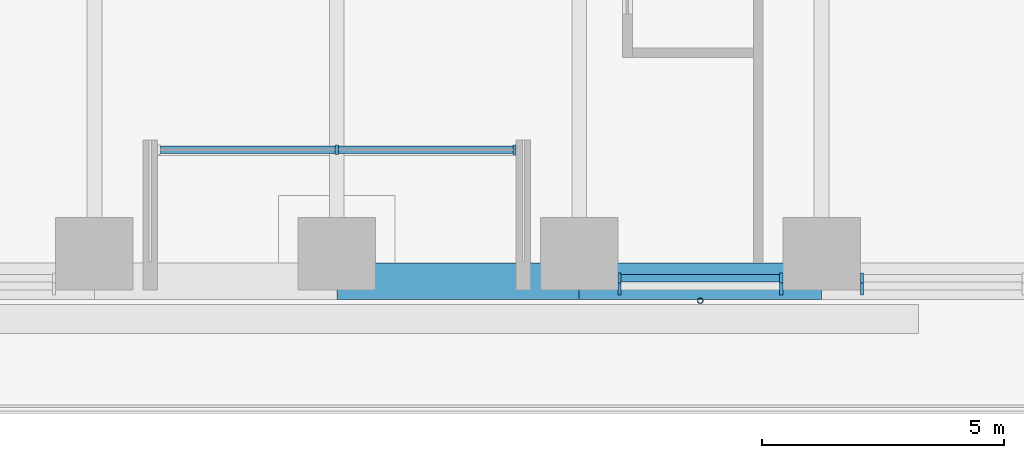
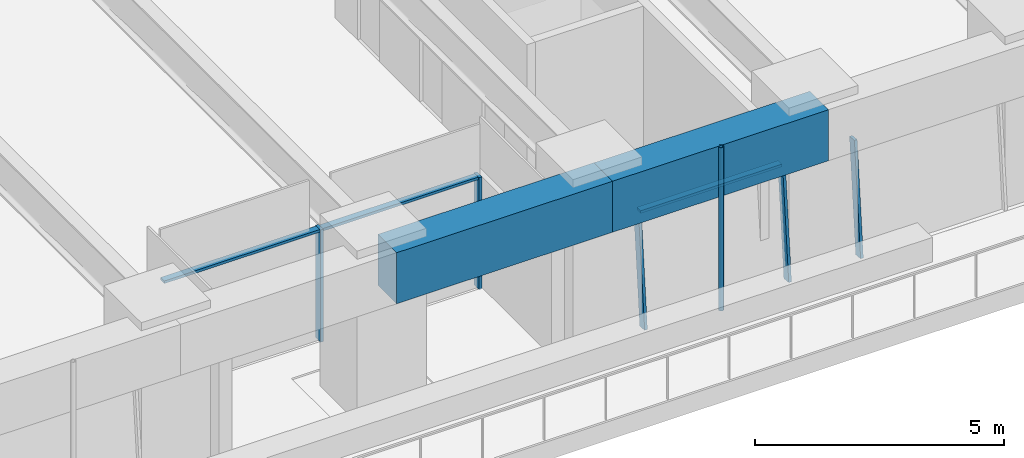
# One storey, part 4 of 24: 8 members, 2 beams, 3 elements without a shape of their own.
"""IFC4 building model written with IfcOpenShell, lengths in metres."""

from ifc_helpers import new_model, si_unit, direction, frame, origin, origin_2d, place, context, subcontext, project, spatial, rectangle, hollow_circle, extrude, material, material_profile, profile_set, type_object, element, aggregate, save


model = new_model("IFC4")

# Units and contexts
model_context = context("Model", 3, precision=1e-05, world=origin(), true_north=direction((0.0, 1.0)))
body_context = subcontext(model_context, "Body", "Model", "MODEL_VIEW")
ifc_project = project(units=[si_unit("LENGTHUNIT", "METRE"), si_unit("AREAUNIT", "SQUARE_METRE"), si_unit("VOLUMEUNIT", "CUBIC_METRE"), si_unit("PLANEANGLEUNIT", "RADIAN"), si_unit("MASSUNIT", "GRAM", prefix="KILO")], contexts=[model_context])

# Site, building, storey
site_placement = place(None, origin())
site = spatial("IfcSite", under=ifc_project, at=site_placement, CompositionType="ELEMENT")
building_placement = place(site_placement, origin())
building = spatial("IfcBuilding", under=site, at=building_placement, Name="Tarfa Lantern Tower", CompositionType="ELEMENT")
storey_placement = place(building_placement, frame((0.0, 0.0, 140.5)))
storey = spatial("IfcBuildingStorey", under=building, at=storey_placement, Name="L31", CompositionType="ELEMENT", Elevation=140.5)

# Curtain wall, members
ifc_material_1 = material(Name="Aluminium framed curtain wall", Category="aluminium")
curtain_wall_type_1 = type_object("IfcCurtainWallType", Name="CW2 CANTED GLAZING MID ZONE 2750", PredefinedType="USERDEFINED", material=ifc_material_1)
curtain_wall_1_placement = place(storey_placement, origin())
curtain_wall_1 = element("IfcCurtainWall", 1, at=curtain_wall_1_placement, inside=storey, type_object=curtain_wall_type_1, Name="CW2 SB L31", ObjectType="CURTAIN WALL", PredefinedType="USERDEFINED")
ifc_material_2 = material(Name="Aluminium mullion", Category="aluminium")
ifc_material_profile_1 = material_profile(ifc_material_2, rectangle(XDim=0.06494140625, YDim=0.199951171875, at=origin_2d()), Name="AL MULLION 65x200")
ifc_profile_set_1 = profile_set([ifc_material_profile_1], Name="Aluminium mullion")
member_type_1 = type_object("IfcMemberType", Name="CWM1 MULLION 65x200", PredefinedType="MULLION", material=ifc_profile_set_1)
member_1_placement = place(storey_placement, frame((5.836181640625, -31.39990234375, 0.0), z_axis=(0.0, 0.090535746043, 0.995893206468), x_axis=(-1.0, 0.0, 0.0)))
member_1 = element("IfcMember", 2, at=member_1_placement, type_object=member_type_1, Name="CW2 mullion 1", PredefinedType="MULLION", context=body_context, shape_type="SweptSolid", body=[
    extrude(rectangle(XDim=0.06494140625, YDim=0.199951171875, at=origin_2d()), origin(), (0.0, 0.0, 1.0), 2.76123046875),
])
member_2_placement = place(storey_placement, frame((9.1748046875, -31.39990234375, 0.0), z_axis=(0.0, 0.090535746043, 0.995893206468), x_axis=(-1.0, 0.0, 0.0)))
member_2 = element("IfcMember", 3, at=member_2_placement, type_object=member_type_1, Name="CW2 mullion 2", PredefinedType="MULLION", context=body_context, shape_type="SweptSolid", body=[
    extrude(rectangle(XDim=0.06494140625, YDim=0.199951171875, at=origin_2d()), origin(), (0.0, 0.0, 1.0), 2.76123046875),
])

# Curtain wall, member
curtain_wall_2_placement = place(storey_placement, origin())
curtain_wall_2 = element("IfcCurtainWall", 4, at=curtain_wall_2_placement, inside=storey, type_object=curtain_wall_type_1, Name="CW2 SB L31", ObjectType="CURTAIN WALL", PredefinedType="USERDEFINED")
member_3_placement = place(storey_placement, frame((10.83984375, -31.39990234375, 0.0), z_axis=(0.0, 0.090535746043, 0.995893206468), x_axis=(-1.0, 0.0, 0.0)))
member_3 = element("IfcMember", 5, at=member_3_placement, type_object=member_type_1, Name="CW2 mullion 1", PredefinedType="MULLION", context=body_context, shape_type="SweptSolid", body=[
    extrude(rectangle(XDim=0.06494140625, YDim=0.199951171875, at=origin_2d()), origin(), (0.0, 0.0, 1.0), 2.76123046875),
])
aggregate(curtain_wall_2, [member_3])

# Curtain wall, members
curtain_wall_type_2 = type_object("IfcCurtainWallType", Name="CW10 LOGGIA GLAZING 2750", PredefinedType="USERDEFINED", material=ifc_material_1)
curtain_wall_3_placement = place(storey_placement, origin())
curtain_wall_3 = element("IfcCurtainWall", 6, at=curtain_wall_3_placement, inside=storey, type_object=curtain_wall_type_2, Name="CW10 SL L31", ObjectType="CURTAIN WALL", PredefinedType="USERDEFINED")
member_4_placement = place(storey_placement, frame((0.0, -28.5, 0.0), z_axis=(0.0, 0.0, 1.0), x_axis=(1.0, 0.0, 0.0)))
member_4 = element("IfcMember", 7, at=member_4_placement, type_object=member_type_1, Name="CW10 mullion 2", PredefinedType="MULLION", context=body_context, shape_type="SweptSolid", body=[
    extrude(rectangle(XDim=0.06494140625, YDim=0.199951171875, at=origin_2d()), origin(), (0.0, 0.0, 1.0), 2.75),
])
member_5_placement = place(storey_placement, frame((3.671142578125, -28.5, 0.0), z_axis=(0.0, 0.0, 1.0), x_axis=(1.0, 0.0, 0.0)))
member_5 = element("IfcMember", 8, at=member_5_placement, type_object=member_type_1, Name="CW10 mullion 3", PredefinedType="MULLION", context=body_context, shape_type="SweptSolid", body=[
    extrude(rectangle(XDim=0.06494140625, YDim=0.199951171875, at=origin_2d()), origin(), (0.0, 0.0, 1.0), 2.75),
])

# Member
ifc_material_3 = material(Name="Aluminium transom", Category="aluminium")
ifc_material_profile_2 = material_profile(ifc_material_3, rectangle(XDim=0.14990234375, YDim=0.06494140625, at=origin_2d()), Name="AL TRANSOM 150x65")
ifc_profile_set_2 = profile_set([ifc_material_profile_2], Name="Aluminium transom")
member_type_2 = type_object("IfcMemberType", Name="CWT1 TRANSOM 150x65", PredefinedType="USERDEFINED", material=ifc_profile_set_2)
member_6_placement = place(storey_placement, frame((5.86865234375, -31.153076171875, 2.717529296875), z_axis=(1.0, 0.0, 0.0), x_axis=(0.0, 1.0, 0.0)))
member_6 = element("IfcMember", 9, at=member_6_placement, type_object=member_type_2, Name="CW2 transom 1.2", ObjectType="TRANSOM", PredefinedType="USERDEFINED", context=body_context, shape_type="SweptSolid", body=[
    extrude(rectangle(XDim=0.14990234375, YDim=0.06494140625, at=origin_2d()), origin(), (0.0, 0.0, 1.0), 3.273681640625),
])

aggregate(curtain_wall_1, [member_1, member_2, member_6])

member_7_placement = place(storey_placement, frame((-3.638671875, -28.5, 2.717529296875), z_axis=(1.0, 0.0, 0.0), x_axis=(0.0, 1.0, 0.0)))
member_7 = element("IfcMember", 10, at=member_7_placement, type_object=member_type_2, Name="CW10 transom 1.2", ObjectType="TRANSOM", PredefinedType="USERDEFINED", context=body_context, shape_type="SweptSolid", body=[
    extrude(rectangle(XDim=0.14990234375, YDim=0.06494140625, at=origin_2d()), origin(), (0.0, 0.0, 1.0), 7.27734375),
])

aggregate(curtain_wall_3, [member_4, member_5, member_7])

# Beams
ifc_material_4 = material(Name="Concrete C80/95", Category="concrete")
ifc_material_profile_3 = material_profile(ifc_material_4, rectangle(XDim=0.75, YDim=1.25, at=origin_2d()), Name="RC 750x1250")
ifc_profile_set_3 = profile_set([ifc_material_profile_3], Name="Concrete C80/95")
beam_type = type_object("IfcBeamType", Name="EB2 RC 750x1250", PredefinedType="SPANDREL", material=ifc_profile_set_3)
for number, where, z_axis, x_axis, name in (
    (11, (0.0, -31.219970703125, 3.375), (1.0, 0.0, 0.0), (0.0, 1.0, 0.0), "Edge beam S3"),
    (12, (5.003662109375, -31.219970703125, 3.375), (1.0, 0.0, 0.0), (0.0, 1.0, 0.0), "Edge beam S4"),
):
    element("IfcBeam", number, at=place(storey_placement, frame(where, z_axis=z_axis, x_axis=x_axis)), inside=storey, type_object=beam_type, Name=name, PredefinedType="SPANDREL", context=body_context, shape_type="SweptSolid", body=[
        extrude(rectangle(XDim=0.75, YDim=1.25, at=origin_2d()), origin(), (0.0, 0.0, 1.0), 5.003662109375),
    ])

# Member
ifc_material_5 = material(Name="Steel S355", Category="steel")
ifc_material_profile_4 = material_profile(ifc_material_5, hollow_circle(Radius=0.05712890625, WallThickness=0.00634765625, at=origin_2d()), Name="CHS114.3x6.3")
ifc_profile_set_4 = profile_set([ifc_material_profile_4], Name="Steel S355")
member_type_3 = type_object("IfcMemberType", Name="TR1 GREEN WALL TRELLIS CHS114.3x6.3", PredefinedType="USERDEFINED", material=ifc_profile_set_4)
member_8_placement = place(storey_placement, frame((7.505615234375, -31.6201171875, 0.0), z_axis=(0.0, 0.0, 1.0), x_axis=(1.0, 0.0, 0.0)))
element("IfcMember", 13, at=member_8_placement, inside=storey, type_object=member_type_3, Name="Trellis post S 2", ObjectType="TRELLIS", PredefinedType="USERDEFINED", context=body_context, shape_type="SweptSolid", body=[
    extrude(hollow_circle(Radius=0.05712890625, WallThickness=0.00634765625, at=origin_2d()), origin(), (0.0, 0.0, 1.0), 4.0),
])

save(model, "model.ifc")
